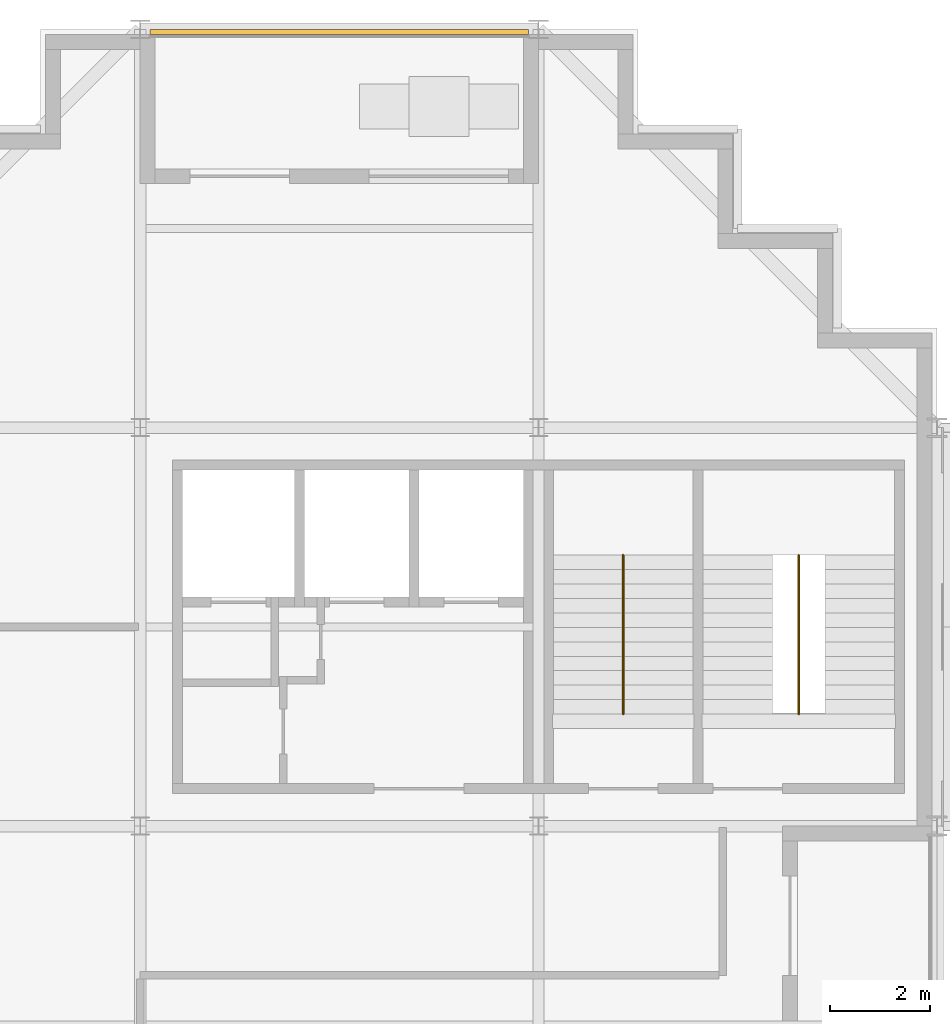
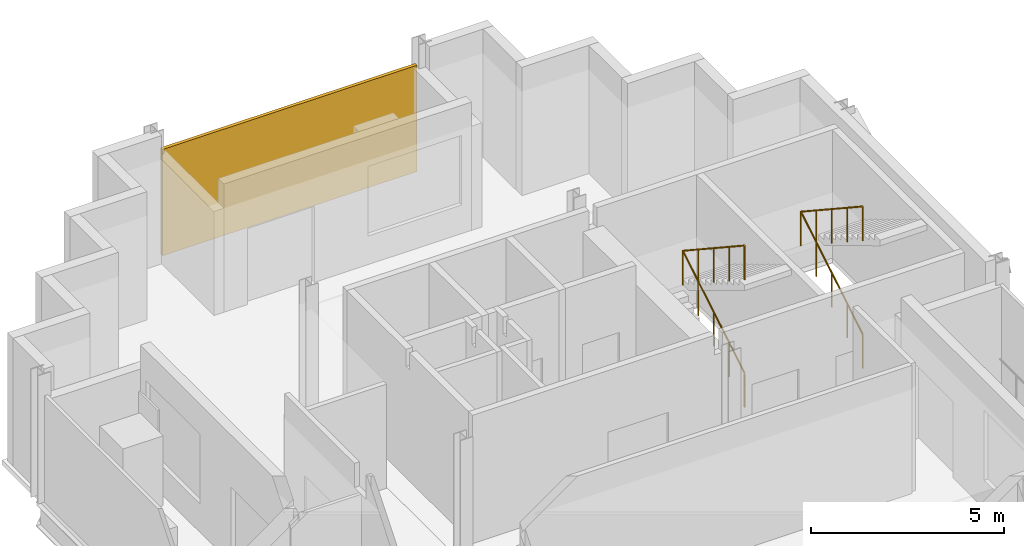
# One storey, part 11 of 12: 2 railings, 1 shading device.
"""IFC4 building model written with IfcOpenShell, lengths in metres."""

from ifc_helpers import new_model, si_unit, direction, frame, origin, origin_2d, place, context, subcontext, project, spatial, rectangle, circle, extrude, material, layer, layer_set, type_object, element, save


model = new_model("IFC4")

# Units and contexts
model_context = context("Model", 3, precision=1e-05, world=origin(), true_north=direction((0.0, 1.0)))
body_context = subcontext(model_context, "Body", "Model", "MODEL_VIEW")
ifc_project = project(units=[si_unit("LENGTHUNIT", "METRE"), si_unit("AREAUNIT", "SQUARE_METRE"), si_unit("VOLUMEUNIT", "CUBIC_METRE"), si_unit("PLANEANGLEUNIT", "RADIAN"), si_unit("MASSUNIT", "GRAM", prefix="KILO")], contexts=[model_context])

# Site, building, storey
site_placement = place(None, origin())
site = spatial("IfcSite", under=ifc_project, at=site_placement, CompositionType="ELEMENT")
building_placement = place(site_placement, origin())
building = spatial("IfcBuilding", under=site, at=building_placement, Name="Immortelle Media Tower", CompositionType="ELEMENT")
storey_placement = place(building_placement, frame((0.0, 0.0, 132.60009765625)))
storey = spatial("IfcBuildingStorey", under=building, at=storey_placement, Name="L26", CompositionType="ELEMENT", Elevation=132.60009765625)

# Shading device
ifc_material_1 = material(Name="Pale aluminium louvre blades", Category="aluminium")
ifc_layer = layer(ifc_material_1, 0.10009765625)
ifc_layer_set = layer_set([ifc_layer], Name="Pale aluminium louvre blades")
shading_device_type = type_object("IfcShadingDeviceType", Name="Jalousie screen 100", PredefinedType="JALOUSIE", material=ifc_layer_set)
shading_device_placement = place(storey_placement, frame((12.0, 47.949951171875, 0.0), z_axis=(0.0, 0.0, 1.0), x_axis=(-1.0, 0.0, 0.0)))
element("IfcShadingDevice", 1, at=shading_device_placement, inside=storey, type_object=shading_device_type, Name="Jalousie screen L26 N0", PredefinedType="JALOUSIE", context=body_context, shape_type="SweptSolid", body=[
    extrude(rectangle(XDim=7.60595703125, YDim=0.10009765625, at=origin_2d()), origin(), (0.0, 0.0, 1.0), 3.35693359375),
])

# Railings
ifc_material_2 = material(Name="Stainless steel AISI 316", Category="steel")
railing_type = type_object("IfcRailingType", Name="Stair guard 1100", PredefinedType="GUARDRAIL", material=ifc_material_2)
for number, where, name in (
    (2, (17.699951171875, 34.25, 0.1748046875), "Stair guard NW1"),
    (3, (21.22509765625, 34.25, 0.1748046875), "Stair guard NW2"),
):
    element("IfcRailing", number, at=place(storey_placement, frame(where)), inside=storey, type_object=railing_type, Name=name, PredefinedType="GUARDRAIL", context=body_context, shape_type="SweptSolid", body=[
        extrude(circle(Radius=0.02392578125, at=origin_2d()), frame((0.0, 0.0, 1.076171875), z_axis=(0.0, 0.856177665481, 0.516681531633), x_axis=(-1.0, 0.0, 0.0)), (0.0, 0.0, 1.0), 3.725830078125),
        extrude(circle(Radius=0.02392578125, at=origin_2d()), frame((0.0, 3.18994140625, 3.0009765625), z_axis=(0.0, -0.835242474824, 0.549881812983), x_axis=(1.0, 0.0, 0.0)), (0.0, 0.0, 1.0), 3.819091796875),
        extrude(circle(Radius=0.02099609375, at=origin_2d()), origin(), (0.0, 0.0, 1.0), 1.052001953125),
        extrude(circle(Radius=0.02099609375, at=origin_2d()), frame((0.0, 0.79736328125, 0.481201171875)), (0.0, 0.0, 1.0), 1.052001953125),
        extrude(circle(Radius=0.02099609375, at=origin_2d()), frame((0.0, 1.594970703125, 0.96240234375)), (0.0, 0.0, 1.0), 1.052001953125),
        extrude(circle(Radius=0.02099609375, at=origin_2d()), frame((0.0, 2.392578125, 1.44384765625)), (0.0, 0.0, 1.0), 1.052001953125),
        extrude(circle(Radius=0.02099609375, at=origin_2d()), frame((0.0, 3.18994140625, 1.925048828125)), (0.0, 0.0, 1.0), 1.052001953125),
        extrude(circle(Radius=0.02099609375, at=origin_2d()), frame((0.0, 2.392578125, 2.4501953125)), (0.0, 0.0, 1.0), 1.052001953125),
        extrude(circle(Radius=0.02099609375, at=origin_2d()), frame((0.0, 1.594970703125, 2.97509765625)), (0.0, 0.0, 1.0), 1.052001953125),
        extrude(circle(Radius=0.02099609375, at=origin_2d()), frame((0.0, 0.79736328125, 3.5)), (0.0, 0.0, 1.0), 1.052001953125),
        extrude(circle(Radius=0.02099609375, at=origin_2d()), frame((0.0, 0.0, 4.025146484375)), (0.0, 0.0, 1.0), 1.052001953125),
    ])

save(model, "model.ifc")
